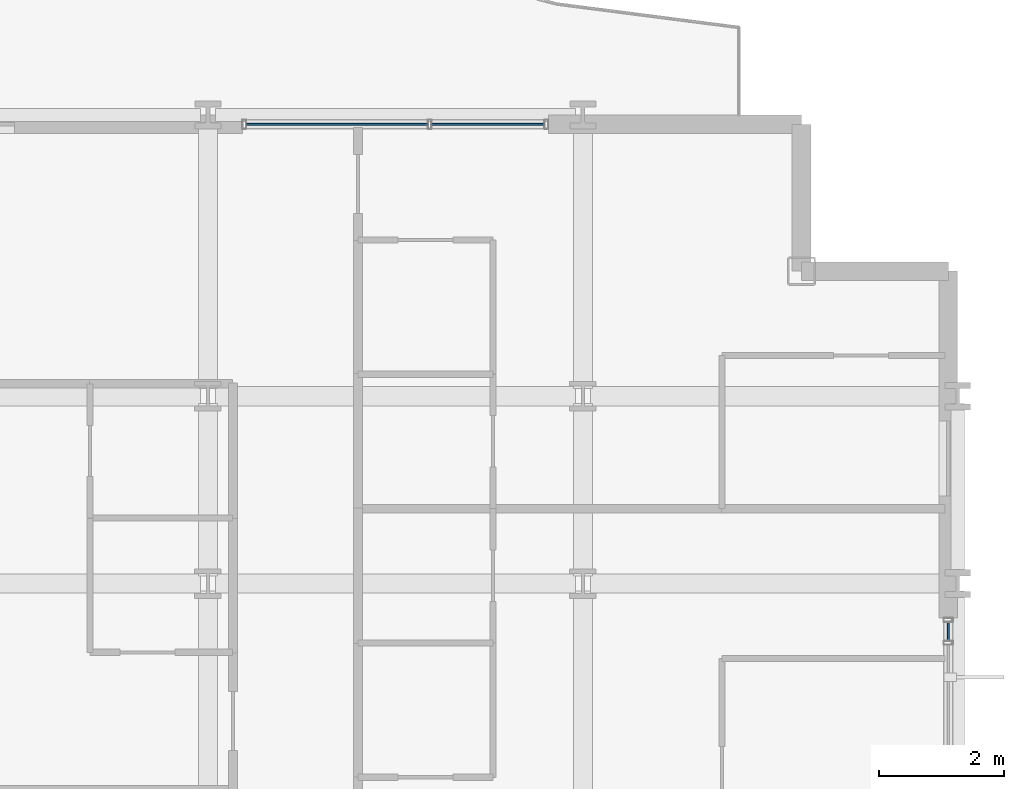
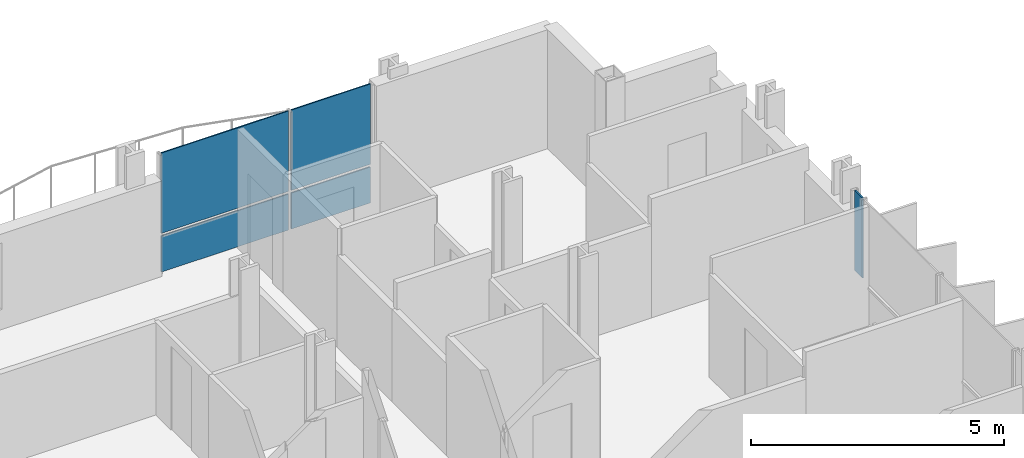
# One storey, part 24 of 39: 5 plates, 2 elements without a shape of their own.
"""IFC4 building model written with IfcOpenShell, lengths in metres."""

from ifc_helpers import new_model, si_unit, direction, frame, origin, origin_2d, place, context, subcontext, project, spatial, rectangle, extrude, material, layer, layer_set, type_object, element, aggregate, save


model = new_model("IFC4")

# Units and contexts
model_context = context("Model", 3, precision=1e-05, world=origin(), true_north=direction((0.0, 1.0)))
body_context = subcontext(model_context, "Body", "Model", "MODEL_VIEW")
ifc_project = project(units=[si_unit("LENGTHUNIT", "METRE"), si_unit("AREAUNIT", "SQUARE_METRE"), si_unit("VOLUMEUNIT", "CUBIC_METRE"), si_unit("PLANEANGLEUNIT", "RADIAN"), si_unit("MASSUNIT", "GRAM", prefix="KILO")], contexts=[model_context])

# Site, building, storey
site_placement = place(None, origin())
site = spatial("IfcSite", under=ifc_project, at=site_placement, CompositionType="ELEMENT")
building_placement = place(site_placement, origin())
building = spatial("IfcBuilding", under=site, at=building_placement, Name="Brevholm Reach", CompositionType="ELEMENT")
storey_placement = place(building_placement, frame((0.0, 0.0, 34.199951171875)))
storey = spatial("IfcBuildingStorey", under=building, at=storey_placement, Name="L08", CompositionType="ELEMENT", Elevation=34.199951171875)

# Curtain wall, plate
ifc_material_1 = material(Name="Dark Anodised Aluminium 6063-T6 and Solar-Control Glass", Category="aluminium")
ifc_layer_1 = layer(ifc_material_1, 0.14990234375)
ifc_layer_set_1 = layer_set([ifc_layer_1], Name="Dark Anodised Aluminium 6063-T6 and Solar-Control Glass")
curtain_wall_type = type_object("IfcCurtainWallType", Name="CW-01", PredefinedType="NOTDEFINED", material=ifc_layer_set_1)
curtain_wall_1_placement = place(storey_placement, origin())
curtain_wall_1 = element("IfcCurtainWall", 1, at=curtain_wall_1_placement, inside=storey, type_object=curtain_wall_type, Name="L08 Curtain Wall CW-01", PredefinedType="NOTDEFINED")
ifc_material_2 = material(Name="Dark Solar-Control Double-Glazed IGU Glass", Category="glass")
ifc_layer_2 = layer(ifc_material_2, 0.028076171875)
ifc_layer_set_2 = layer_set([ifc_layer_2], Name="Dark Solar-Control Double-Glazed IGU Glass")
plate_type = type_object("IfcPlateType", Name="CWP-GLZ-28", PredefinedType="CURTAIN_PANEL", material=ifc_layer_set_2)
plate_1_placement = place(storey_placement, frame((59.85009765625, 22.733642578125, 0.9326171875), z_axis=(0.0, 0.0, 1.0), x_axis=(0.0, 1.0, 0.0)))
plate_1 = element("IfcPlate", 2, at=plate_1_placement, type_object=plate_type, Name="CP-01 Glazing Panel 5.2", PredefinedType="CURTAIN_PANEL", context=body_context, shape_type="SweptSolid", body=[
    extrude(rectangle(XDim=0.302490234375, YDim=0.028076171875, at=origin_2d()), origin(), (0.0, 0.0, 1.0), 1.9375),
])
aggregate(curtain_wall_1, [plate_1])

# Curtain wall, plates
curtain_wall_2_placement = place(storey_placement, origin())
curtain_wall_2 = element("IfcCurtainWall", 3, at=curtain_wall_2_placement, inside=storey, type_object=curtain_wall_type, Name="L08 Curtain Wall CW-01", PredefinedType="NOTDEFINED")
plate_2_placement = place(storey_placement, frame((50.066162109375, 30.85009765625, 0.0), z_axis=(0.0, 0.0, 1.0), x_axis=(1.0, 0.0, 0.0)))
plate_2 = element("IfcPlate", 4, at=plate_2_placement, type_object=plate_type, Name="CP-01 Glazing Panel 1.1", PredefinedType="CURTAIN_PANEL", context=body_context, shape_type="SweptSolid", body=[
    extrude(rectangle(XDim=2.902587890625, YDim=0.028076171875, at=origin_2d()), origin(), (0.0, 0.0, 1.0), 0.867431640625),
])
plate_3_placement = place(storey_placement, frame((50.066162109375, 30.85009765625, 0.9326171875), z_axis=(0.0, 0.0, 1.0), x_axis=(1.0, 0.0, 0.0)))
plate_3 = element("IfcPlate", 5, at=plate_3_placement, type_object=plate_type, Name="CP-01 Glazing Panel 1.2", PredefinedType="CURTAIN_PANEL", context=body_context, shape_type="SweptSolid", body=[
    extrude(rectangle(XDim=2.902587890625, YDim=0.028076171875, at=origin_2d()), origin(), (0.0, 0.0, 1.0), 1.9375),
])
plate_4_placement = place(storey_placement, frame((52.483642578125, 30.85009765625, 0.0), z_axis=(0.0, 0.0, 1.0), x_axis=(1.0, 0.0, 0.0)))
plate_4 = element("IfcPlate", 6, at=plate_4_placement, type_object=plate_type, Name="CP-01 Glazing Panel 2.1", PredefinedType="CURTAIN_PANEL", context=body_context, shape_type="SweptSolid", body=[
    extrude(rectangle(XDim=1.802490234375, YDim=0.028076171875, at=origin_2d()), origin(), (0.0, 0.0, 1.0), 0.867431640625),
])
plate_5_placement = place(storey_placement, frame((52.483642578125, 30.85009765625, 0.9326171875), z_axis=(0.0, 0.0, 1.0), x_axis=(1.0, 0.0, 0.0)))
plate_5 = element("IfcPlate", 7, at=plate_5_placement, type_object=plate_type, Name="CP-01 Glazing Panel 2.2", PredefinedType="CURTAIN_PANEL", context=body_context, shape_type="SweptSolid", body=[
    extrude(rectangle(XDim=1.802490234375, YDim=0.028076171875, at=origin_2d()), origin(), (0.0, 0.0, 1.0), 1.9375),
])
aggregate(curtain_wall_2, [plate_2, plate_3, plate_4, plate_5])

save(model, "model.ifc")
